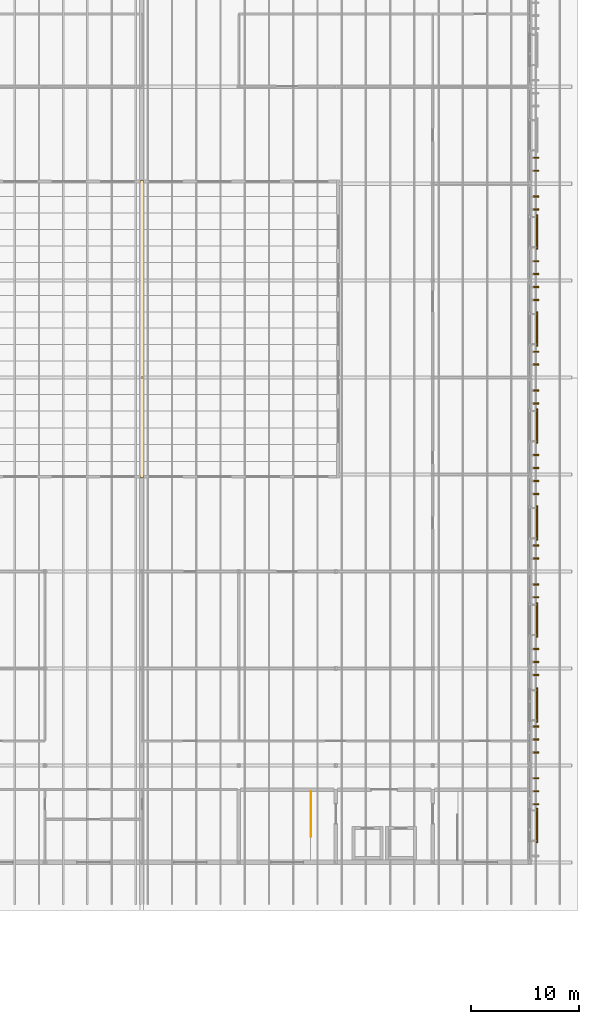
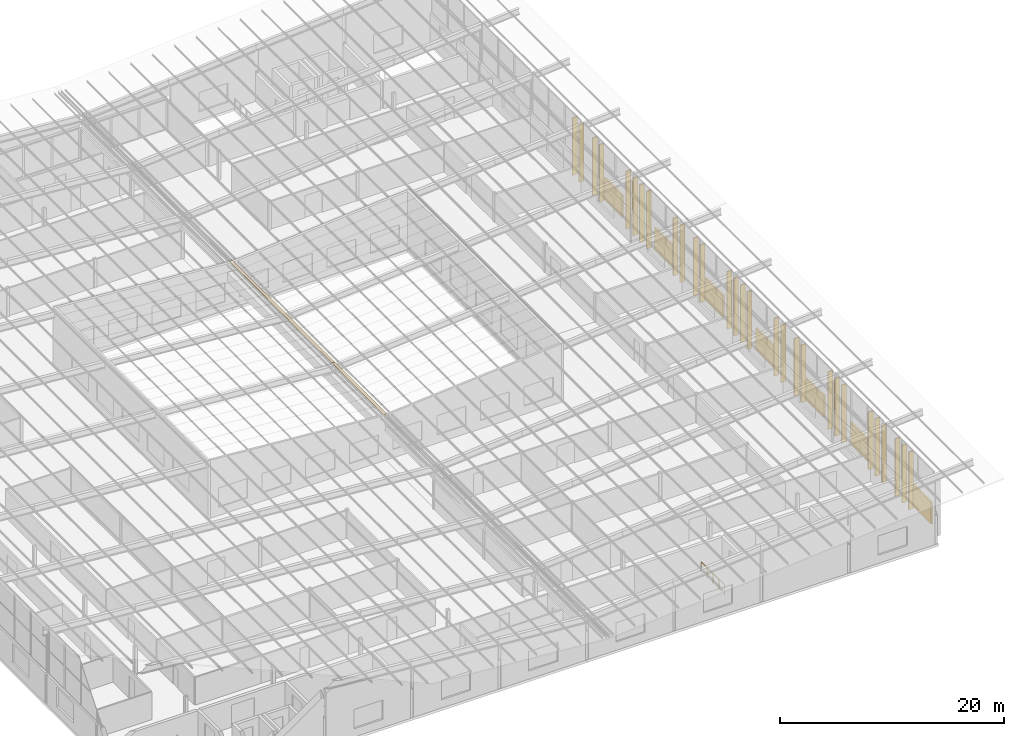
# One storey, part 84 of 85: 31 coverings, 7 shading devices, 1 railing.
"""IFC4 building model written with IfcOpenShell, lengths in metres."""

from ifc_helpers import new_model, si_unit, direction, frame, origin, origin_2d, place, context, subcontext, project, spatial, rectangle, circle, extrude, material, layer, layer_set, constituent, constituent_set, type_object, element, save


model = new_model("IFC4")

# Units and contexts
model_context = context("Model", 3, precision=1e-05, world=origin(), true_north=direction((0.0, 1.0)))
body_context = subcontext(model_context, "Body", "Model", "MODEL_VIEW")
ifc_project = project(units=[si_unit("LENGTHUNIT", "METRE"), si_unit("AREAUNIT", "SQUARE_METRE"), si_unit("VOLUMEUNIT", "CUBIC_METRE"), si_unit("PLANEANGLEUNIT", "RADIAN"), si_unit("MASSUNIT", "GRAM", prefix="KILO")], contexts=[model_context])

# Site, building, storey
site_placement = place(None, origin())
site = spatial("IfcSite", under=ifc_project, at=site_placement, CompositionType="ELEMENT")
building_placement = place(site_placement, origin())
building = spatial("IfcBuilding", under=site, at=building_placement, Name="Opaline Strait Convention Centre", CompositionType="ELEMENT")
storey_placement = place(building_placement, frame((0.0, 0.0, 17.0)))
storey = spatial("IfcBuildingStorey", under=building, at=storey_placement, Name="L03", CompositionType="ELEMENT", Elevation=17.0)

# Railing
ifc_material_1 = material(Name="Steel Q235B", Category="steel")
ifc_constituent_1 = constituent(ifc_material_1, Name="Frame")
ifc_material_2 = material(Name="Safety glass, bonded interlayer", Category="glass")
ifc_constituent_2 = constituent(ifc_material_2, Name="Infill")
ifc_constituent_set = constituent_set(constituents=[ifc_constituent_1, ifc_constituent_2], Name="Steel Q235B, Safety glass, bonded interlayer")
railing_type = type_object("IfcRailingType", Name="Guard 1100 steel and glass", PredefinedType="GUARDRAIL", material=ifc_constituent_set)
railing_placement = place(storey_placement, frame((339.7001953125, 96.60009765625, 0.0)))
element("IfcRailing", 1, at=railing_placement, inside=storey, type_object=railing_type, Name="L03 S4 top well guard 1", PredefinedType="GUARDRAIL", context=body_context, shape_type="SweptSolid", body=[
    extrude(circle(Radius=0.02392578125, at=origin_2d()), frame((0.0, 0.0, 1.076171875), z_axis=(0.0, -1.0, 0.0), x_axis=(1.0, 0.0, 0.0)), (0.0, 0.0, 1.0), 4.199951171875),
    extrude(circle(Radius=0.02099609375, at=origin_2d()), origin(), (0.0, 0.0, 1.0), 1.052001953125),
    extrude(circle(Radius=0.02099609375, at=origin_2d()), frame((0.0, -1.050048828125, 0.0)), (0.0, 0.0, 1.0), 1.052001953125),
    extrude(circle(Radius=0.02099609375, at=origin_2d()), frame((0.0, -2.10009765625, 0.0)), (0.0, 0.0, 1.0), 1.052001953125),
    extrude(circle(Radius=0.02099609375, at=origin_2d()), frame((0.0, -3.14990234375, 0.0)), (0.0, 0.0, 1.0), 1.052001953125),
    extrude(circle(Radius=0.02099609375, at=origin_2d()), frame((0.0, -4.199951171875, 0.0)), (0.0, 0.0, 1.0), 1.052001953125),
])

# Coverings
ifc_material_3 = material(Name="Aluminium alloy 6063-T5", Category="aluminium")
ifc_layer_1 = layer(ifc_material_3, 0.0400390625)
ifc_layer_set_1 = layer_set([ifc_layer_1], Name="Aluminium alloy 6063-T5")
covering_type_1 = type_object("IfcCoveringType", Name="Ridge cap 300 aluminium", PredefinedType="CLADDING", material=ifc_layer_set_1)
covering_1_placement = place(storey_placement, frame((324.0, 130.33740234375, 4.94482421875), z_axis=(0.0, 0.0, 1.0), x_axis=(1.0, 0.0, 0.0)))
element("IfcCovering", 2, at=covering_1_placement, inside=storey, type_object=covering_type_1, Name="MRC1 valley ridge cap G1", PredefinedType="CLADDING", context=body_context, shape_type="SweptSolid", body=[
    extrude(rectangle(XDim=0.300048828125, YDim=9.2451171875, at=origin_2d()), origin(), (0.0, 0.0, 1.0), 0.0400390625),
])
covering_2_placement = place(storey_placement, frame((324.0, 144.16259765625, 4.94482421875), z_axis=(0.0, 0.0, 1.0), x_axis=(1.0, 0.0, 0.0)))
element("IfcCovering", 3, at=covering_2_placement, inside=storey, type_object=covering_type_1, Name="MRC1 valley ridge cap G2", PredefinedType="CLADDING", context=body_context, shape_type="SweptSolid", body=[
    extrude(rectangle(XDim=0.300048828125, YDim=18.2451171875, at=origin_2d()), origin(), (0.0, 0.0, 1.0), 0.0400390625),
])

# Shading devices
ifc_layer_2 = layer(ifc_material_3, 0.14990234375)
ifc_layer_set_2 = layer_set([ifc_layer_2], Name="Aluminium alloy 6063-T5")
shading_device_type = type_object("IfcShadingDeviceType", Name="Storm louvre 3200 x 2400 aluminium", PredefinedType="JALOUSIE", material=ifc_layer_set_2)
for number, where, z_axis, x_axis, name in (
    (4, (360.675048828125, 93.41259765625, 0.75), (0.0, 0.0, 1.0), (1.0, 0.0, 0.0), "Storm louvre L03"),
    (5, (360.675048828125, 104.58740234375, 0.75), (0.0, 0.0, 1.0), (1.0, 0.0, 0.0), "Storm louvre L03"),
    (6, (360.675048828125, 112.5, 0.75), (0.0, 0.0, 1.0), (1.0, 0.0, 0.0), "Storm louvre L03"),
    (7, (360.675048828125, 121.5, 0.75), (0.0, 0.0, 1.0), (1.0, 0.0, 0.0), "Storm louvre L03"),
    (8, (360.675048828125, 130.5, 0.75), (0.0, 0.0, 1.0), (1.0, 0.0, 0.0), "Storm louvre L03"),
    (9, (360.675048828125, 139.5, 0.75), (0.0, 0.0, 1.0), (1.0, 0.0, 0.0), "Storm louvre L03"),
    (10, (360.675048828125, 148.5, 0.75), (0.0, 0.0, 1.0), (1.0, 0.0, 0.0), "Storm louvre L03"),
):
    element("IfcShadingDevice", number, at=place(storey_placement, frame(where, z_axis=z_axis, x_axis=x_axis)), inside=storey, type_object=shading_device_type, Name=name, PredefinedType="JALOUSIE", context=body_context, shape_type="SweptSolid", body=[
        extrude(rectangle(XDim=0.14990234375, YDim=3.199951171875, at=origin_2d()), origin(), (0.0, 0.0, 1.0), 2.39990234375),
    ])

# Coverings
ifc_layer_3 = layer(ifc_material_3, 0.1201171875)
ifc_layer_set_3 = layer_set([ifc_layer_3], Name="Aluminium alloy 6063-T5")
covering_type_2 = type_object("IfcCoveringType", Name="Storm louvre fin 120 x 500 aluminium", PredefinedType="CLADDING", material=ifc_layer_set_3)
for number, where, z_axis, x_axis, name in (
    (11, (360.60009765625, 95.39990234375, 0.25), (0.0, 0.0, 1.0), (1.0, 0.0, 0.0), "Storm louvre fin E L03"),
    (12, (360.60009765625, 96.60009765625, 0.25), (0.0, 0.0, 1.0), (1.0, 0.0, 0.0), "Storm louvre fin E L03"),
    (13, (360.60009765625, 97.800048828125, 0.25), (0.0, 0.0, 1.0), (1.0, 0.0, 0.0), "Storm louvre fin E L03"),
    (14, (360.60009765625, 100.199951171875, 0.25), (0.0, 0.0, 1.0), (1.0, 0.0, 0.0), "Storm louvre fin E L03"),
    (15, (360.60009765625, 101.39990234375, 0.25), (0.0, 0.0, 1.0), (1.0, 0.0, 0.0), "Storm louvre fin E L03"),
    (16, (360.60009765625, 102.60009765625, 0.25), (0.0, 0.0, 1.0), (1.0, 0.0, 0.0), "Storm louvre fin E L03"),
    (17, (360.60009765625, 107.39990234375, 0.25), (0.0, 0.0, 1.0), (1.0, 0.0, 0.0), "Storm louvre fin E L03"),
    (18, (360.60009765625, 108.60009765625, 0.25), (0.0, 0.0, 1.0), (1.0, 0.0, 0.0), "Storm louvre fin E L03"),
    (19, (360.60009765625, 109.800048828125, 0.25), (0.0, 0.0, 1.0), (1.0, 0.0, 0.0), "Storm louvre fin E L03"),
    (20, (360.60009765625, 114.60009765625, 0.25), (0.0, 0.0, 1.0), (1.0, 0.0, 0.0), "Storm louvre fin E L03"),
    (21, (360.60009765625, 115.800048828125, 0.25), (0.0, 0.0, 1.0), (1.0, 0.0, 0.0), "Storm louvre fin E L03"),
    (22, (360.60009765625, 118.199951171875, 0.25), (0.0, 0.0, 1.0), (1.0, 0.0, 0.0), "Storm louvre fin E L03"),
    (23, (360.60009765625, 119.39990234375, 0.25), (0.0, 0.0, 1.0), (1.0, 0.0, 0.0), "Storm louvre fin E L03"),
    (24, (360.60009765625, 124.199951171875, 0.25), (0.0, 0.0, 1.0), (1.0, 0.0, 0.0), "Storm louvre fin E L03"),
    (25, (360.60009765625, 125.39990234375, 0.25), (0.0, 0.0, 1.0), (1.0, 0.0, 0.0), "Storm louvre fin E L03"),
    (26, (360.60009765625, 126.60009765625, 0.25), (0.0, 0.0, 1.0), (1.0, 0.0, 0.0), "Storm louvre fin E L03"),
    (27, (360.60009765625, 127.800048828125, 0.25), (0.0, 0.0, 1.0), (1.0, 0.0, 0.0), "Storm louvre fin E L03"),
    (28, (360.60009765625, 132.60009765625, 0.25), (0.0, 0.0, 1.0), (1.0, 0.0, 0.0), "Storm louvre fin E L03"),
    (29, (360.60009765625, 133.800048828125, 0.25), (0.0, 0.0, 1.0), (1.0, 0.0, 0.0), "Storm louvre fin E L03"),
    (30, (360.60009765625, 136.199951171875, 0.25), (0.0, 0.0, 1.0), (1.0, 0.0, 0.0), "Storm louvre fin E L03"),
    (31, (360.60009765625, 137.39990234375, 0.25), (0.0, 0.0, 1.0), (1.0, 0.0, 0.0), "Storm louvre fin E L03"),
    (32, (360.60009765625, 142.199951171875, 0.25), (0.0, 0.0, 1.0), (1.0, 0.0, 0.0), "Storm louvre fin E L03"),
    (33, (360.60009765625, 143.39990234375, 0.25), (0.0, 0.0, 1.0), (1.0, 0.0, 0.0), "Storm louvre fin E L03"),
    (34, (360.60009765625, 144.60009765625, 0.25), (0.0, 0.0, 1.0), (1.0, 0.0, 0.0), "Storm louvre fin E L03"),
    (35, (360.60009765625, 145.800048828125, 0.25), (0.0, 0.0, 1.0), (1.0, 0.0, 0.0), "Storm louvre fin E L03"),
    (36, (360.60009765625, 150.60009765625, 0.25), (0.0, 0.0, 1.0), (1.0, 0.0, 0.0), "Storm louvre fin E L03"),
    (37, (360.60009765625, 151.800048828125, 0.25), (0.0, 0.0, 1.0), (1.0, 0.0, 0.0), "Storm louvre fin E L03"),
    (38, (360.60009765625, 154.199951171875, 0.25), (0.0, 0.0, 1.0), (1.0, 0.0, 0.0), "Storm louvre fin E L03"),
    (39, (360.60009765625, 155.39990234375, 0.25), (0.0, 0.0, 1.0), (1.0, 0.0, 0.0), "Storm louvre fin E L03"),
):
    element("IfcCovering", number, at=place(storey_placement, frame(where, z_axis=z_axis, x_axis=x_axis)), inside=storey, type_object=covering_type_2, Name=name, PredefinedType="CLADDING", context=body_context, shape_type="SweptSolid", body=[
        extrude(rectangle(XDim=0.5, YDim=0.1201171875, at=origin_2d()), origin(), (0.0, 0.0, 1.0), 6.283203125),
    ])

save(model, "model.ifc")
